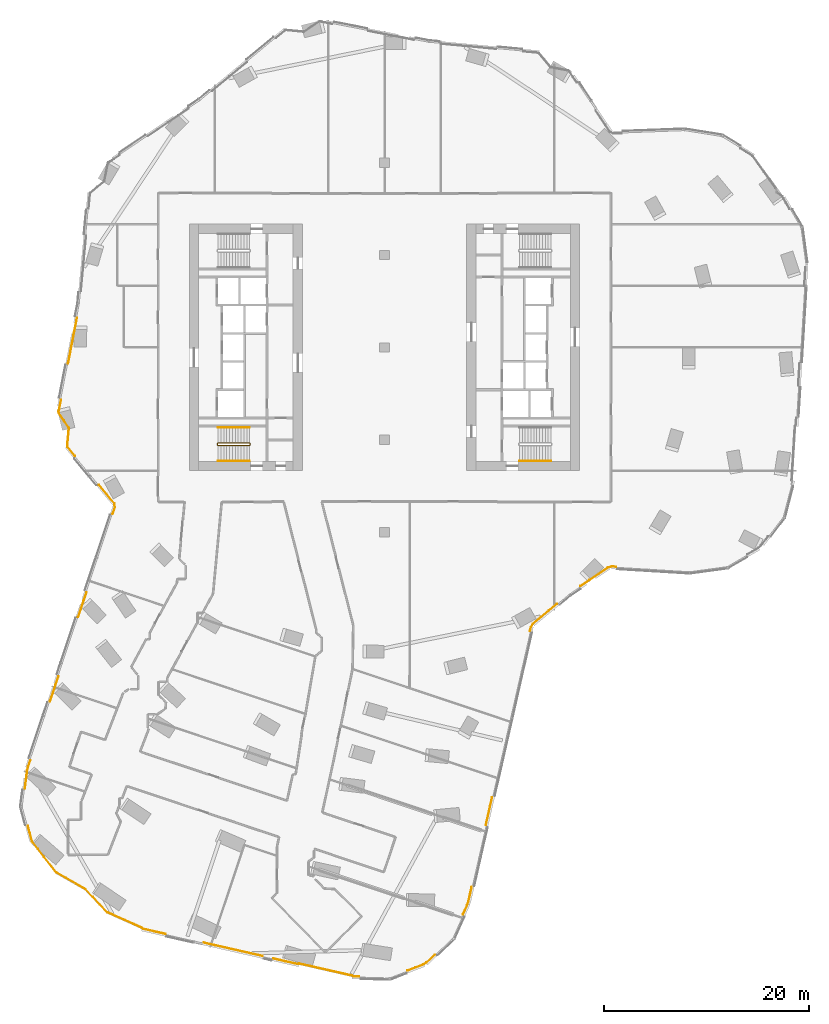
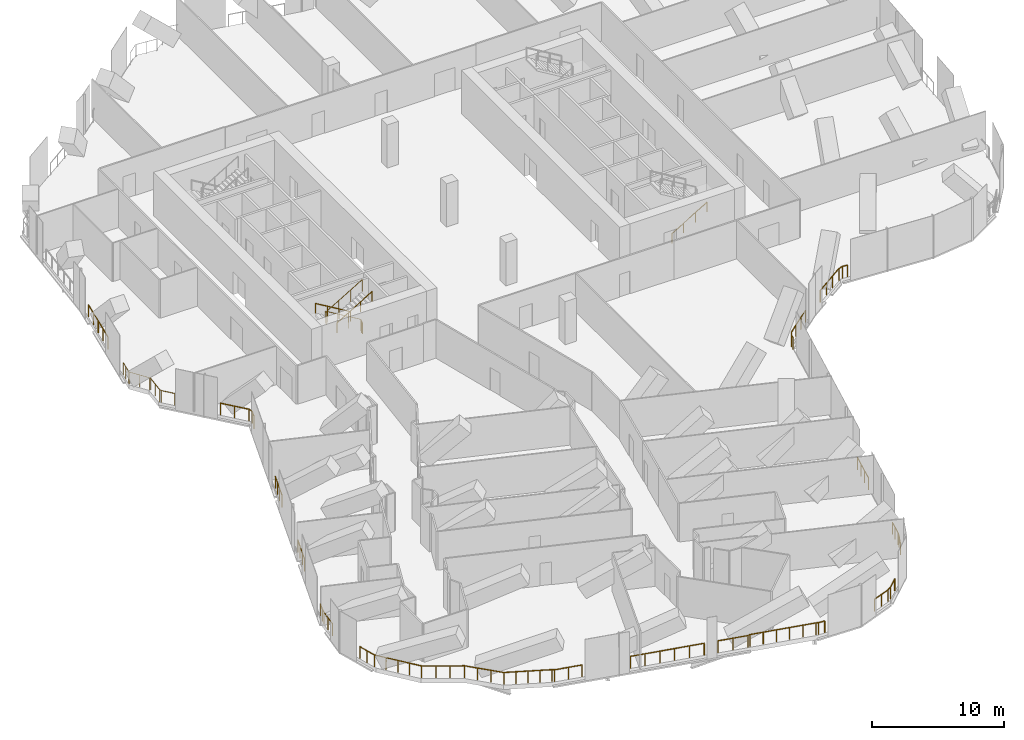
# One storey, part 25 of 28: 20 railings.
"""IFC4 building model written with IfcOpenShell, lengths in metres."""

from ifc_helpers import new_model, si_unit, direction, frame, origin, origin_2d, place, context, subcontext, project, spatial, circle, extrude, material, type_object, element, save


model = new_model("IFC4")

# Units and contexts
model_context = context("Model", 3, precision=1e-05, world=origin(), true_north=direction((0.0, 1.0)))
body_context = subcontext(model_context, "Body", "Model", "MODEL_VIEW")
ifc_project = project(units=[si_unit("LENGTHUNIT", "METRE"), si_unit("AREAUNIT", "SQUARE_METRE"), si_unit("VOLUMEUNIT", "CUBIC_METRE"), si_unit("PLANEANGLEUNIT", "RADIAN"), si_unit("MASSUNIT", "GRAM", prefix="KILO")], contexts=[model_context])

# Site, building, storey
site_placement = place(None, origin())
site = spatial("IfcSite", under=ifc_project, at=site_placement, CompositionType="ELEMENT")
building_placement = place(site_placement, origin())
building = spatial("IfcBuilding", under=site, at=building_placement, Name="Orlundy Tower", CompositionType="ELEMENT")
storey_placement = place(building_placement, frame((0.0, 0.0, 163.10009765625)))
storey = spatial("IfcBuildingStorey", under=building, at=storey_placement, Name="L42", CompositionType="ELEMENT", Elevation=163.10009765625)

# Railings
ifc_material_1 = material(Name="Steel balustrade", Category="steel")
railing_type_1 = type_object("IfcRailingType", Name="Stair Guard 1100", PredefinedType="GUARDRAIL", material=ifc_material_1)
railing_1_placement = place(storey_placement, frame((-13.090087890625, -9.35009765625, 0.0)))
element("IfcRailing", 1, at=railing_1_placement, inside=storey, type_object=railing_type_1, Name="L42 ST-W2 stair guard 1", PredefinedType="GUARDRAIL", context=body_context, shape_type="SweptSolid", body=[
    extrude(circle(Radius=0.02392578125, at=origin_2d()), frame((0.0, 0.0, 1.076171875), z_axis=(0.0, -1.0, 0.0), x_axis=(1.0, 0.0, 0.0)), (0.0, 0.0, 1.0), 0.14990234375),
    extrude(circle(Radius=0.02392578125, at=origin_2d()), frame((0.0, -0.14990234375, 1.076171875), z_axis=(-0.187996396626, 0.754750239394, 0.628497757347), x_axis=(-0.970351222016, -0.241699205484, 0.0)), (0.0, 0.0, 1.0), 0.264892578125),
    extrude(circle(Radius=0.02392578125, at=origin_2d()), frame((-0.0498046875, 0.050048828125, 1.24267578125), z_axis=(-0.85927862911, 0.0, 0.511507807912), x_axis=(0.0, -1.0, 0.0)), (0.0, 0.0, 1.0), 3.58447265625),
    extrude(circle(Radius=0.02392578125, at=origin_2d()), frame((-3.1298828125, 0.050048828125, 3.076171875), z_axis=(-0.707106781187, -0.707106781187, 0.0), x_axis=(0.707106781187, -0.707106781187, 0.0)), (0.0, 0.0, 1.0), 0.07080078125),
    extrude(circle(Radius=0.02392578125, at=origin_2d()), frame((-3.179931640625, 0.0, 3.076171875), z_axis=(0.0, -1.0, 0.0), x_axis=(1.0, 0.0, 0.0)), (0.0, 0.0, 1.0), 0.14990234375),
    extrude(circle(Radius=0.02392578125, at=origin_2d()), frame((-3.179931640625, -0.14990234375, 3.076171875), z_axis=(0.27662974545, -0.27662974545, 0.920299933644), x_axis=(0.707106781187, 0.707106781187, 0.0)), (0.0, 0.0, 1.0), 0.180908203125),
    extrude(circle(Radius=0.02392578125, at=origin_2d()), frame((-3.1298828125, -0.199951171875, 3.24267578125), z_axis=(0.85927862911, 0.0, 0.511507807912), x_axis=(0.0, 1.0, 0.0)), (0.0, 0.0, 1.0), 3.58447265625),
    extrude(circle(Radius=0.02099609375, at=origin_2d()), origin(), (0.0, 0.0, 1.0), 1.052001953125),
    extrude(circle(Radius=0.02099609375, at=origin_2d()), frame((0.0, -0.14990234375, 0.0)), (0.0, 0.0, 1.0), 1.052001953125),
    extrude(circle(Radius=0.02099609375, at=origin_2d()), frame((-0.0498046875, 0.050048828125, 0.16650390625)), (0.0, 0.0, 1.0), 1.052001953125),
    extrude(circle(Radius=0.02099609375, at=origin_2d()), frame((-1.076416015625, 0.050048828125, 0.777587890625)), (0.0, 0.0, 1.0), 1.052001953125),
    extrude(circle(Radius=0.02099609375, at=origin_2d()), frame((-2.103271484375, 0.050048828125, 1.388916015625)), (0.0, 0.0, 1.0), 1.052001953125),
    extrude(circle(Radius=0.02099609375, at=origin_2d()), frame((-3.1298828125, 0.050048828125, 2.0)), (0.0, 0.0, 1.0), 1.052001953125),
    extrude(circle(Radius=0.02099609375, at=origin_2d()), frame((-3.179931640625, 0.0, 2.0)), (0.0, 0.0, 1.0), 1.052001953125),
    extrude(circle(Radius=0.02099609375, at=origin_2d()), frame((-3.179931640625, -0.14990234375, 2.0)), (0.0, 0.0, 1.0), 1.052001953125),
    extrude(circle(Radius=0.02099609375, at=origin_2d()), frame((-3.1298828125, -0.199951171875, 2.16650390625)), (0.0, 0.0, 1.0), 1.052001953125),
    extrude(circle(Radius=0.02099609375, at=origin_2d()), frame((-2.103271484375, -0.199951171875, 2.777587890625)), (0.0, 0.0, 1.0), 1.052001953125),
    extrude(circle(Radius=0.02099609375, at=origin_2d()), frame((-1.076416015625, -0.199951171875, 3.388916015625)), (0.0, 0.0, 1.0), 1.052001953125),
    extrude(circle(Radius=0.02099609375, at=origin_2d()), frame((-0.0498046875, -0.199951171875, 4.0)), (0.0, 0.0, 1.0), 1.052001953125),
])
ifc_material_2 = material(Name="Steel handrail", Category="steel")
railing_type_2 = type_object("IfcRailingType", Name="Stair Handrail 900", PredefinedType="HANDRAIL", material=ifc_material_2)
railing_2_placement = place(storey_placement, frame((-13.139892578125, -7.800048828125, 0.16650390625)))
element("IfcRailing", 2, at=railing_2_placement, inside=storey, type_object=railing_type_2, Name="L42 ST-W2 stair handrail 1", PredefinedType="HANDRAIL", context=body_context, shape_type="SweptSolid", body=[
    extrude(circle(Radius=0.02392578125, at=origin_2d()), frame((0.0, 0.0, 0.8759765625), z_axis=(-0.85927862911, 0.0, 0.511507807912), x_axis=(0.0, -1.0, 0.0)), (0.0, 0.0, 1.0), 3.58447265625),
    extrude(circle(Radius=0.02099609375, at=origin_2d()), origin(), (0.0, 0.0, 1.0), 0.851806640625),
    extrude(circle(Radius=0.02099609375, at=origin_2d()), frame((-1.026611328125, 0.0, 0.611083984375)), (0.0, 0.0, 1.0), 0.851806640625),
    extrude(circle(Radius=0.02099609375, at=origin_2d()), frame((-2.053466796875, 0.0, 1.222412109375)), (0.0, 0.0, 1.0), 0.851806640625),
    extrude(circle(Radius=0.02099609375, at=origin_2d()), frame((-3.080078125, 0.0, 1.83349609375)), (0.0, 0.0, 1.0), 0.851806640625),
])
for number, where, name in (
    (3, (-16.219970703125, -11.050048828125, 2.16650390625), "L42 ST-W2 stair handrail 2"),
    (4, (13.139892578125, -11.050048828125, 0.16650390625), "L42 ST-E1 stair handrail 1"),
):
    element("IfcRailing", number, at=place(storey_placement, frame(where)), inside=storey, type_object=railing_type_2, Name=name, PredefinedType="HANDRAIL", context=body_context, shape_type="SweptSolid", body=[
        extrude(circle(Radius=0.02392578125, at=origin_2d()), frame((0.0, 0.0, 0.8759765625), z_axis=(0.85927862911, 0.0, 0.511507807912), x_axis=(0.0, 1.0, 0.0)), (0.0, 0.0, 1.0), 3.58447265625),
        extrude(circle(Radius=0.02099609375, at=origin_2d()), origin(), (0.0, 0.0, 1.0), 0.851806640625),
        extrude(circle(Radius=0.02099609375, at=origin_2d()), frame((1.026611328125, 0.0, 0.611083984375)), (0.0, 0.0, 1.0), 0.851806640625),
        extrude(circle(Radius=0.02099609375, at=origin_2d()), frame((2.053466796875, 0.0, 1.222412109375)), (0.0, 0.0, 1.0), 0.851806640625),
        extrude(circle(Radius=0.02099609375, at=origin_2d()), frame((3.080078125, 0.0, 1.83349609375)), (0.0, 0.0, 1.0), 0.851806640625),
    ])
ifc_material_3 = material(Name="Stainless steel bronze finish", Category="steel")
railing_type_3 = type_object("IfcRailingType", Name="TG1 terrace guard", PredefinedType="GUARDRAIL", material=ifc_material_3)
railing_3_placement = place(storey_placement, frame((-2.472900390625, -61.301025390625, 0.0)))
element("IfcRailing", 5, at=railing_3_placement, inside=storey, type_object=railing_type_3, Name="Guard TG-L42-E00", PredefinedType="GUARDRAIL", context=body_context, shape_type="SweptSolid", body=[
    extrude(circle(Radius=0.02490234375, at=origin_2d()), frame((0.0, 0.0, 1.09521484375), z_axis=(-0.999625427911, 0.027367935149, 0.0), x_axis=(-0.027367935149, -0.999625427911, 0.0)), (0.0, 0.0, 1.0), 0.5263671875),
    extrude(circle(Radius=0.02490234375, at=origin_2d()), frame((-0.526123046875, 0.014404296875, 1.09521484375), z_axis=(-0.903840916326, 0.427868669073, 0.0), x_axis=(-0.427868669073, -0.903840916326, 0.0)), (0.0, 0.0, 1.0), 0.19287109375),
    extrude(circle(Radius=0.02490234375, at=origin_2d()), frame((-0.700439453125, 0.096923828125, 1.09521484375), z_axis=(-0.975024476507, 0.222097434053, 0.0), x_axis=(-0.222097434053, -0.975024476507, 0.0)), (0.0, 0.0, 1.0), 5.25),
    extrude(circle(Radius=0.02490234375, at=origin_2d()), frame((-5.8193359375, 1.262939453125, 1.09521484375), z_axis=(-0.987882088777, -0.155206245599, 0.0), x_axis=(0.155206245599, -0.987882088777, 0.0)), (0.0, 0.0, 1.0), 0.215576171875),
    extrude(circle(Radius=0.02490234375, at=origin_2d()), frame((-6.0322265625, 1.2294921875, 1.09521484375), z_axis=(-0.975030417327, 0.222071351794, 0.0), x_axis=(-0.222071351794, -0.975030417327, 0.0)), (0.0, 0.0, 1.0), 2.366943359375),
    extrude(circle(Radius=0.02001953125, at=origin_2d()), origin(), (0.0, 0.0, 1.0), 1.070068359375),
    extrude(circle(Radius=0.02001953125, at=origin_2d()), frame((-0.526123046875, 0.014404296875, 0.0)), (0.0, 0.0, 1.0), 1.070068359375),
    extrude(circle(Radius=0.02001953125, at=origin_2d()), frame((-0.700439453125, 0.096923828125, 0.0)), (0.0, 0.0, 1.0), 1.070068359375),
    extrude(circle(Radius=0.02001953125, at=origin_2d()), frame((-1.72412109375, 0.330078125, 0.0)), (0.0, 0.0, 1.0), 1.070068359375),
    extrude(circle(Radius=0.02001953125, at=origin_2d()), frame((-2.748046875, 0.563232421875, 0.0)), (0.0, 0.0, 1.0), 1.070068359375),
    extrude(circle(Radius=0.02001953125, at=origin_2d()), frame((-3.771728515625, 0.796630859375, 0.0)), (0.0, 0.0, 1.0), 1.070068359375),
    extrude(circle(Radius=0.02001953125, at=origin_2d()), frame((-4.795654296875, 1.02978515625, 0.0)), (0.0, 0.0, 1.0), 1.070068359375),
    extrude(circle(Radius=0.02001953125, at=origin_2d()), frame((-5.8193359375, 1.262939453125, 0.0)), (0.0, 0.0, 1.0), 1.070068359375),
    extrude(circle(Radius=0.02001953125, at=origin_2d()), frame((-6.0322265625, 1.2294921875, 0.0)), (0.0, 0.0, 1.0), 1.070068359375),
    extrude(circle(Radius=0.02001953125, at=origin_2d()), frame((-7.18603515625, 1.4921875, 0.0)), (0.0, 0.0, 1.0), 1.070068359375),
    extrude(circle(Radius=0.02001953125, at=origin_2d()), frame((-8.340087890625, 1.755126953125, 0.0)), (0.0, 0.0, 1.0), 1.070068359375),
])
railing_4_placement = place(storey_placement, frame((-26.9892578125, -55.044189453125, 0.0)))
element("IfcRailing", 6, at=railing_4_placement, inside=storey, type_object=railing_type_3, Name="Guard TG-L42-E03", PredefinedType="GUARDRAIL", context=body_context, shape_type="SweptSolid", body=[
    extrude(circle(Radius=0.02490234375, at=origin_2d()), frame((0.0, 0.0, 1.09521484375), z_axis=(-0.688175674315, 0.725544100162, 0.0), x_axis=(-0.725544100162, -0.688175674315, 0.0)), (0.0, 0.0, 1.0), 3.10986328125),
    extrude(circle(Radius=0.02490234375, at=origin_2d()), frame((-2.14013671875, 2.25634765625, 1.09521484375), z_axis=(-0.86819270863, 0.496227186561, 0.0), x_axis=(-0.496227186561, -0.86819270863, 0.0)), (0.0, 0.0, 1.0), 3.277099609375),
    extrude(circle(Radius=0.02001953125, at=origin_2d()), origin(), (0.0, 0.0, 1.0), 1.070068359375),
    extrude(circle(Radius=0.02001953125, at=origin_2d()), frame((-0.71337890625, 0.752197265625, 0.0)), (0.0, 0.0, 1.0), 1.070068359375),
    extrude(circle(Radius=0.02001953125, at=origin_2d()), frame((-1.4267578125, 1.504150390625, 0.0)), (0.0, 0.0, 1.0), 1.070068359375),
    extrude(circle(Radius=0.02001953125, at=origin_2d()), frame((-2.14013671875, 2.25634765625, 0.0)), (0.0, 0.0, 1.0), 1.070068359375),
    extrude(circle(Radius=0.02001953125, at=origin_2d()), frame((-3.088623046875, 2.79833984375, 0.0)), (0.0, 0.0, 1.0), 1.070068359375),
    extrude(circle(Radius=0.02001953125, at=origin_2d()), frame((-4.036865234375, 3.340576171875, 0.0)), (0.0, 0.0, 1.0), 1.070068359375),
    extrude(circle(Radius=0.02001953125, at=origin_2d()), frame((-4.9853515625, 3.882568359375, 0.0)), (0.0, 0.0, 1.0), 1.070068359375),
])
railing_5_placement = place(storey_placement, frame((-21.33642578125, -57.14892578125, 0.0)))
element("IfcRailing", 7, at=railing_5_placement, inside=storey, type_object=railing_type_3, Name="Guard TG-L42-E05", PredefinedType="GUARDRAIL", context=body_context, shape_type="SweptSolid", body=[
    extrude(circle(Radius=0.02490234375, at=origin_2d()), frame((0.0, 0.0, 1.09521484375), z_axis=(-0.975016667759, 0.222131712259, 0.0), x_axis=(-0.222131712259, -0.975016667759, 0.0)), (0.0, 0.0, 1.0), 2.1904296875),
    extrude(circle(Radius=0.02490234375, at=origin_2d()), frame((-2.1357421875, 0.486572265625, 1.09521484375), z_axis=(-0.80333267452, 0.595530531584, 0.0), x_axis=(-0.595530531584, -0.80333267452, 0.0)), (0.0, 0.0, 1.0), 0.192626953125),
    extrude(circle(Radius=0.02490234375, at=origin_2d()), frame((-2.29052734375, 0.601318359375, 1.09521484375), z_axis=(-0.912896264228, 0.408191634847, 0.0), x_axis=(-0.408191634847, -0.912896264228, 0.0)), (0.0, 0.0, 1.0), 3.68310546875),
    extrude(circle(Radius=0.02001953125, at=origin_2d()), origin(), (0.0, 0.0, 1.0), 1.070068359375),
    extrude(circle(Radius=0.02001953125, at=origin_2d()), frame((-1.06787109375, 0.2431640625, 0.0)), (0.0, 0.0, 1.0), 1.070068359375),
    extrude(circle(Radius=0.02001953125, at=origin_2d()), frame((-2.1357421875, 0.486572265625, 0.0)), (0.0, 0.0, 1.0), 1.070068359375),
    extrude(circle(Radius=0.02001953125, at=origin_2d()), frame((-2.29052734375, 0.601318359375, 0.0)), (0.0, 0.0, 1.0), 1.070068359375),
    extrude(circle(Radius=0.02001953125, at=origin_2d()), frame((-3.131103515625, 0.97705078125, 0.0)), (0.0, 0.0, 1.0), 1.070068359375),
    extrude(circle(Radius=0.02001953125, at=origin_2d()), frame((-3.9716796875, 1.35302734375, 0.0)), (0.0, 0.0, 1.0), 1.070068359375),
    extrude(circle(Radius=0.02001953125, at=origin_2d()), frame((-4.812255859375, 1.72900390625, 0.0)), (0.0, 0.0, 1.0), 1.070068359375),
    extrude(circle(Radius=0.02001953125, at=origin_2d()), frame((-5.65283203125, 2.104736328125, 0.0)), (0.0, 0.0, 1.0), 1.070068359375),
])
railing_6_placement = place(storey_placement, frame((-30.15576171875, -10.569580078125, 0.0)))
element("IfcRailing", 8, at=railing_6_placement, inside=storey, type_object=railing_type_3, Name="Guard TG-L42-E06", PredefinedType="GUARDRAIL", context=body_context, shape_type="SweptSolid", body=[
    extrude(circle(Radius=0.02490234375, at=origin_2d()), frame((0.0, 0.0, 1.09521484375), z_axis=(-0.638262986491, 0.769818394218, 0.0), x_axis=(-0.769818394218, -0.638262986491, 0.0)), (0.0, 0.0, 1.0), 1.113525390625),
    extrude(circle(Radius=0.02490234375, at=origin_2d()), frame((-0.710693359375, 0.857177734375, 1.09521484375), z_axis=(-0.316227766017, 0.948683298051, 0.0), x_axis=(-0.948683298051, -0.316227766017, 0.0)), (0.0, 0.0, 1.0), 0.12353515625),
    extrude(circle(Radius=0.02490234375, at=origin_2d()), frame((-0.749755859375, 0.974365234375, 1.09521484375), z_axis=(0.092679514677, 0.995695991535, 0.0), x_axis=(-0.995695991535, 0.092679514677, 0.0)), (0.0, 0.0, 1.0), 1.704345703125),
    extrude(circle(Radius=0.02490234375, at=origin_2d()), frame((-0.591796875, 2.67138671875, 1.09521484375), z_axis=(-0.247503822991, 0.96888691683, 0.0), x_axis=(-0.96888691683, -0.247503822991, 0.0)), (0.0, 0.0, 1.0), 0.080810546875),
    extrude(circle(Radius=0.02490234375, at=origin_2d()), frame((-0.61181640625, 2.749755859375, 1.09521484375), z_axis=(-0.559155408665, 0.829062861887, 0.0), x_axis=(-0.829062861887, -0.559155408665, 0.0)), (0.0, 0.0, 1.0), 1.7041015625),
    extrude(circle(Radius=0.02490234375, at=origin_2d()), frame((-1.564697265625, 4.16259765625, 1.09521484375), z_axis=(-0.179754511092, 0.983711500259, 0.0), x_axis=(-0.983711500259, -0.179754511092, 0.0)), (0.0, 0.0, 1.0), 0.12353515625),
    extrude(circle(Radius=0.02490234375, at=origin_2d()), frame((-1.5869140625, 4.2841796875, 1.09521484375), z_axis=(0.190912871903, 0.981606986192, 0.0), x_axis=(-0.981606986192, 0.190912871903, 0.0)), (0.0, 0.0, 1.0), 1.209716796875),
    extrude(circle(Radius=0.02001953125, at=origin_2d()), origin(), (0.0, 0.0, 1.0), 1.070068359375),
    extrude(circle(Radius=0.02001953125, at=origin_2d()), frame((-0.710693359375, 0.857177734375, 0.0)), (0.0, 0.0, 1.0), 1.070068359375),
    extrude(circle(Radius=0.02001953125, at=origin_2d()), frame((-0.749755859375, 0.974365234375, 0.0)), (0.0, 0.0, 1.0), 1.070068359375),
    extrude(circle(Radius=0.02001953125, at=origin_2d()), frame((-0.6708984375, 1.82275390625, 0.0)), (0.0, 0.0, 1.0), 1.070068359375),
    extrude(circle(Radius=0.02001953125, at=origin_2d()), frame((-0.591796875, 2.67138671875, 0.0)), (0.0, 0.0, 1.0), 1.070068359375),
    extrude(circle(Radius=0.02001953125, at=origin_2d()), frame((-0.61181640625, 2.749755859375, 0.0)), (0.0, 0.0, 1.0), 1.070068359375),
    extrude(circle(Radius=0.02001953125, at=origin_2d()), frame((-1.08837890625, 3.4560546875, 0.0)), (0.0, 0.0, 1.0), 1.070068359375),
    extrude(circle(Radius=0.02001953125, at=origin_2d()), frame((-1.564697265625, 4.16259765625, 0.0)), (0.0, 0.0, 1.0), 1.070068359375),
    extrude(circle(Radius=0.02001953125, at=origin_2d()), frame((-1.5869140625, 4.2841796875, 0.0)), (0.0, 0.0, 1.0), 1.070068359375),
    extrude(circle(Radius=0.02001953125, at=origin_2d()), frame((-1.471435546875, 4.8779296875, 0.0)), (0.0, 0.0, 1.0), 1.070068359375),
    extrude(circle(Radius=0.02001953125, at=origin_2d()), frame((-1.35595703125, 5.4716796875, 0.0)), (0.0, 0.0, 1.0), 1.070068359375),
])
railing_7_placement = place(storey_placement, frame((-11.882568359375, -59.30224609375, 0.0)))
element("IfcRailing", 9, at=railing_7_placement, inside=storey, type_object=railing_type_3, Name="Guard TG-L42-E08", PredefinedType="GUARDRAIL", context=body_context, shape_type="SweptSolid", body=[
    extrude(circle(Radius=0.02490234375, at=origin_2d()), frame((0.0, 0.0, 1.09521484375), z_axis=(-0.975029120637, 0.222077044984, 0.0), x_axis=(-0.222077044984, -0.975029120637, 0.0)), (0.0, 0.0, 1.0), 5.878173828125),
    extrude(circle(Radius=0.02001953125, at=origin_2d()), origin(), (0.0, 0.0, 1.0), 1.070068359375),
    extrude(circle(Radius=0.02001953125, at=origin_2d()), frame((-1.146240234375, 0.260986328125, 0.0)), (0.0, 0.0, 1.0), 1.070068359375),
    extrude(circle(Radius=0.02001953125, at=origin_2d()), frame((-2.29248046875, 0.522216796875, 0.0)), (0.0, 0.0, 1.0), 1.070068359375),
    extrude(circle(Radius=0.02001953125, at=origin_2d()), frame((-3.43896484375, 0.783203125, 0.0)), (0.0, 0.0, 1.0), 1.070068359375),
    extrude(circle(Radius=0.02001953125, at=origin_2d()), frame((-4.585205078125, 1.04443359375, 0.0)), (0.0, 0.0, 1.0), 1.070068359375),
    extrude(circle(Radius=0.02001953125, at=origin_2d()), frame((-5.7314453125, 1.305419921875, 0.0)), (0.0, 0.0, 1.0), 1.070068359375),
])
railing_8_placement = place(storey_placement, frame((-31.974609375, -51.16162109375, 0.0)))
element("IfcRailing", 10, at=railing_8_placement, inside=storey, type_object=railing_type_3, Name="Guard TG-L42-E09", PredefinedType="GUARDRAIL", context=body_context, shape_type="SweptSolid", body=[
    extrude(circle(Radius=0.02490234375, at=origin_2d()), frame((0.0, 0.0, 1.09521484375), z_axis=(-0.613668604489, 0.789563704754, 0.0), x_axis=(-0.789563704754, -0.613668604489, 0.0)), (0.0, 0.0, 1.0), 3.85302734375),
    extrude(circle(Radius=0.02490234375, at=origin_2d()), frame((-2.364501953125, 3.042236328125, 1.09521484375), z_axis=(-0.262771843156, 0.964857999109, 0.0), x_axis=(-0.964857999109, -0.262771843156, 0.0)), (0.0, 0.0, 1.0), 1.554443359375),
    extrude(circle(Radius=0.02001953125, at=origin_2d()), origin(), (0.0, 0.0, 1.0), 1.070068359375),
    extrude(circle(Radius=0.02001953125, at=origin_2d()), frame((-0.591064453125, 0.760498046875, 0.0)), (0.0, 0.0, 1.0), 1.070068359375),
    extrude(circle(Radius=0.02001953125, at=origin_2d()), frame((-1.18212890625, 1.52099609375, 0.0)), (0.0, 0.0, 1.0), 1.070068359375),
    extrude(circle(Radius=0.02001953125, at=origin_2d()), frame((-1.7734375, 2.28173828125, 0.0)), (0.0, 0.0, 1.0), 1.070068359375),
    extrude(circle(Radius=0.02001953125, at=origin_2d()), frame((-2.364501953125, 3.042236328125, 0.0)), (0.0, 0.0, 1.0), 1.070068359375),
    extrude(circle(Radius=0.02001953125, at=origin_2d()), frame((-2.56884765625, 3.7919921875, 0.0)), (0.0, 0.0, 1.0), 1.070068359375),
    extrude(circle(Radius=0.02001953125, at=origin_2d()), frame((-2.77294921875, 4.5419921875, 0.0)), (0.0, 0.0, 1.0), 1.070068359375),
])
railing_9_placement = place(storey_placement, frame((-30.82470703125, -1.563232421875, 0.0)))
element("IfcRailing", 11, at=railing_9_placement, inside=storey, type_object=railing_type_3, Name="Guard TG-L42-E014", PredefinedType="GUARDRAIL", context=body_context, shape_type="SweptSolid", body=[
    extrude(circle(Radius=0.02490234375, at=origin_2d()), frame((0.0, 0.0, 1.09521484375), z_axis=(0.190786966879, 0.981631465097, 0.0), x_axis=(-0.981631465097, 0.190786966879, 0.0)), (0.0, 0.0, 1.0), 4.50439453125),
    extrude(circle(Radius=0.02001953125, at=origin_2d()), origin(), (0.0, 0.0, 1.0), 1.070068359375),
    extrude(circle(Radius=0.02001953125, at=origin_2d()), frame((0.21484375, 1.10546875, 0.0)), (0.0, 0.0, 1.0), 1.070068359375),
    extrude(circle(Radius=0.02001953125, at=origin_2d()), frame((0.4296875, 2.2109375, 0.0)), (0.0, 0.0, 1.0), 1.070068359375),
    extrude(circle(Radius=0.02001953125, at=origin_2d()), frame((0.64453125, 3.316162109375, 0.0)), (0.0, 0.0, 1.0), 1.070068359375),
    extrude(circle(Radius=0.02001953125, at=origin_2d()), frame((0.859375, 4.421630859375, 0.0)), (0.0, 0.0, 1.0), 1.070068359375),
])
railing_10_placement = place(storey_placement, frame((22.560302734375, -21.377197265625, 0.0)))
element("IfcRailing", 12, at=railing_10_placement, inside=storey, type_object=railing_type_3, Name="Guard TG-L42-E017", PredefinedType="GUARDRAIL", context=body_context, shape_type="SweptSolid", body=[
    extrude(circle(Radius=0.02490234375, at=origin_2d()), frame((0.0, 0.0, 1.09521484375), z_axis=(-0.998126550782, 0.061183238089, 0.0), x_axis=(-0.061183238089, -0.998126550782, 0.0)), (0.0, 0.0, 1.0), 0.406982421875),
    extrude(circle(Radius=0.02490234375, at=origin_2d()), frame((-0.40625, 0.02490234375, 1.09521484375), z_axis=(-0.964735952077, -0.263219571405, 0.0), x_axis=(0.263219571405, -0.964735952077, 0.0)), (0.0, 0.0, 1.0), 0.404296875),
    extrude(circle(Radius=0.02490234375, at=origin_2d()), frame((-0.79638671875, -0.08154296875, 1.09521484375), z_axis=(-0.829061494236, -0.559157436484, 0.0), x_axis=(0.559157436484, -0.829061494236, 0.0)), (0.0, 0.0, 1.0), 3.217529296875),
    extrude(circle(Radius=0.02001953125, at=origin_2d()), origin(), (0.0, 0.0, 1.0), 1.070068359375),
    extrude(circle(Radius=0.02001953125, at=origin_2d()), frame((-0.40625, 0.02490234375, 0.0)), (0.0, 0.0, 1.0), 1.070068359375),
    extrude(circle(Radius=0.02001953125, at=origin_2d()), frame((-0.79638671875, -0.08154296875, 0.0)), (0.0, 0.0, 1.0), 1.070068359375),
    extrude(circle(Radius=0.02001953125, at=origin_2d()), frame((-1.685546875, -0.68115234375, 0.0)), (0.0, 0.0, 1.0), 1.070068359375),
    extrude(circle(Radius=0.02001953125, at=origin_2d()), frame((-2.57470703125, -1.281005859375, 0.0)), (0.0, 0.0, 1.0), 1.070068359375),
    extrude(circle(Radius=0.02001953125, at=origin_2d()), frame((-3.4638671875, -1.880615234375, 0.0)), (0.0, 0.0, 1.0), 1.070068359375),
])
railing_11_placement = place(storey_placement, frame((16.806884765625, -24.983642578125, 0.0)))
element("IfcRailing", 13, at=railing_11_placement, inside=storey, type_object=railing_type_3, Name="Guard TG-L42-E018", PredefinedType="GUARDRAIL", context=body_context, shape_type="SweptSolid", body=[
    extrude(circle(Radius=0.02490234375, at=origin_2d()), frame((0.0, 0.0, 1.09521484375), z_axis=(-0.769776291195, -0.638313764159, 0.0), x_axis=(0.638313764159, -0.769776291195, 0.0)), (0.0, 0.0, 1.0), 3.03271484375),
    extrude(circle(Radius=0.02490234375, at=origin_2d()), frame((-2.33447265625, -1.935791015625, 1.09521484375), z_axis=(-0.523693418148, -0.851906804638, 0.0), x_axis=(0.851906804638, -0.523693418148, 0.0)), (0.0, 0.0, 1.0), 0.404541015625),
    extrude(circle(Radius=0.02490234375, at=origin_2d()), frame((-2.54638671875, -2.280517578125, 1.09521484375), z_axis=(-0.221854264083, -0.975079835454, 0.0), x_axis=(0.975079835454, -0.221854264083, 0.0)), (0.0, 0.0, 1.0), 0.362060546875),
    extrude(circle(Radius=0.02001953125, at=origin_2d()), origin(), (0.0, 0.0, 1.0), 1.070068359375),
    extrude(circle(Radius=0.02001953125, at=origin_2d()), frame((-0.778076171875, -0.645263671875, 0.0)), (0.0, 0.0, 1.0), 1.070068359375),
    extrude(circle(Radius=0.02001953125, at=origin_2d()), frame((-1.556396484375, -1.29052734375, 0.0)), (0.0, 0.0, 1.0), 1.070068359375),
    extrude(circle(Radius=0.02001953125, at=origin_2d()), frame((-2.33447265625, -1.935791015625, 0.0)), (0.0, 0.0, 1.0), 1.070068359375),
    extrude(circle(Radius=0.02001953125, at=origin_2d()), frame((-2.54638671875, -2.280517578125, 0.0)), (0.0, 0.0, 1.0), 1.070068359375),
    extrude(circle(Radius=0.02001953125, at=origin_2d()), frame((-2.626708984375, -2.633544921875, 0.0)), (0.0, 0.0, 1.0), 1.070068359375),
])
railing_12_placement = place(storey_placement, frame((-26.479248046875, -16.23291015625, 0.0)))
element("IfcRailing", 14, at=railing_12_placement, inside=storey, type_object=railing_type_3, Name="Guard TG-L42-E020", PredefinedType="GUARDRAIL", context=body_context, shape_type="SweptSolid", body=[
    extrude(circle(Radius=0.02490234375, at=origin_2d()), frame((0.0, 0.0, 1.09521484375), z_axis=(0.317271230023, 0.948334838862, 0.0), x_axis=(-0.948334838862, 0.317271230023, 0.0)), (0.0, 0.0, 1.0), 0.701904296875),
    extrude(circle(Radius=0.02490234375, at=origin_2d()), frame((0.22265625, 0.66552734375, 1.09521484375), z_axis=(-0.18352950567, 0.983014201601, 0.0), x_axis=(-0.983014201601, -0.18352950567, 0.0)), (0.0, 0.0, 1.0), 0.388427734375),
    extrude(circle(Radius=0.02490234375, at=origin_2d()), frame((0.1513671875, 1.04736328125, 1.09521484375), z_axis=(-0.638380260131, 0.769721146569, 0.0), x_axis=(-0.769721146569, -0.638380260131, 0.0)), (0.0, 0.0, 1.0), 2.304931640625),
    extrude(circle(Radius=0.02001953125, at=origin_2d()), origin(), (0.0, 0.0, 1.0), 1.070068359375),
    extrude(circle(Radius=0.02001953125, at=origin_2d()), frame((0.22265625, 0.66552734375, 0.0)), (0.0, 0.0, 1.0), 1.070068359375),
    extrude(circle(Radius=0.02001953125, at=origin_2d()), frame((0.1513671875, 1.04736328125, 0.0)), (0.0, 0.0, 1.0), 1.070068359375),
    extrude(circle(Radius=0.02001953125, at=origin_2d()), frame((-0.58447265625, 1.9345703125, 0.0)), (0.0, 0.0, 1.0), 1.070068359375),
    extrude(circle(Radius=0.02001953125, at=origin_2d()), frame((-1.320068359375, 2.821533203125, 0.0)), (0.0, 0.0, 1.0), 1.070068359375),
])
railing_13_placement = place(storey_placement, frame((4.899658203125, -59.162353515625, 0.0)))
element("IfcRailing", 15, at=railing_13_placement, inside=storey, type_object=railing_type_3, Name="Guard TG-L42-E021", PredefinedType="GUARDRAIL", context=body_context, shape_type="SweptSolid", body=[
    extrude(circle(Radius=0.02490234375, at=origin_2d()), frame((0.0, 0.0, 1.09521484375), z_axis=(-0.726312797718, -0.687364328338, 0.0), x_axis=(0.687364328338, -0.726312797718, 0.0)), (0.0, 0.0, 1.0), 1.1220703125),
    extrude(circle(Radius=0.02490234375, at=origin_2d()), frame((-0.81494140625, -0.771240234375, 1.09521484375), z_axis=(-0.846611513547, -0.532211372605, 0.0), x_axis=(0.532211372605, -0.846611513547, 0.0)), (0.0, 0.0, 1.0), 0.376708984375),
    extrude(circle(Radius=0.02490234375, at=origin_2d()), frame((-1.1337890625, -0.9716796875, 1.09521484375), z_axis=(-0.934113036949, -0.356977358109, 0.0), x_axis=(0.356977358109, -0.934113036949, 0.0)), (0.0, 0.0, 1.0), 1.6435546875),
    extrude(circle(Radius=0.02001953125, at=origin_2d()), origin(), (0.0, 0.0, 1.0), 1.070068359375),
    extrude(circle(Radius=0.02001953125, at=origin_2d()), frame((-0.81494140625, -0.771240234375, 0.0)), (0.0, 0.0, 1.0), 1.070068359375),
    extrude(circle(Radius=0.02001953125, at=origin_2d()), frame((-1.1337890625, -0.9716796875, 0.0)), (0.0, 0.0, 1.0), 1.070068359375),
    extrude(circle(Radius=0.02001953125, at=origin_2d()), frame((-1.9013671875, -1.26513671875, 0.0)), (0.0, 0.0, 1.0), 1.070068359375),
    extrude(circle(Radius=0.02001953125, at=origin_2d()), frame((-2.6689453125, -1.558349609375, 0.0)), (0.0, 0.0, 1.0), 1.070068359375),
])
railing_14_placement = place(storey_placement, frame((8.494873046875, -52.574951171875, 0.0)))
element("IfcRailing", 16, at=railing_14_placement, inside=storey, type_object=railing_type_3, Name="Guard TG-L42-E022", PredefinedType="GUARDRAIL", context=body_context, shape_type="SweptSolid", body=[
    extrude(circle(Radius=0.02490234375, at=origin_2d()), frame((0.0, 0.0, 1.09521484375), z_axis=(-0.2220802787, -0.975028384106, 0.0), x_axis=(0.975028384106, -0.2220802787, 0.0)), (0.0, 0.0, 1.0), 1.4248046875),
    extrude(circle(Radius=0.02490234375, at=origin_2d()), frame((-0.31640625, -1.38916015625, 1.09521484375), z_axis=(-0.316603160023, -0.94855808418, 0.0), x_axis=(0.94855808418, -0.316603160023, 0.0)), (0.0, 0.0, 1.0), 0.39013671875),
    extrude(circle(Radius=0.02490234375, at=origin_2d()), frame((-0.43994140625, -1.75927734375, 1.09521484375), z_axis=(-0.408152069871, -0.912913954248, 0.0), x_axis=(0.912913954248, -0.408152069871, 0.0)), (0.0, 0.0, 1.0), 1.000732421875),
    extrude(circle(Radius=0.02001953125, at=origin_2d()), origin(), (0.0, 0.0, 1.0), 1.070068359375),
    extrude(circle(Radius=0.02001953125, at=origin_2d()), frame((-0.158203125, -0.694580078125, 0.0)), (0.0, 0.0, 1.0), 1.070068359375),
    extrude(circle(Radius=0.02001953125, at=origin_2d()), frame((-0.31640625, -1.38916015625, 0.0)), (0.0, 0.0, 1.0), 1.070068359375),
    extrude(circle(Radius=0.02001953125, at=origin_2d()), frame((-0.43994140625, -1.75927734375, 0.0)), (0.0, 0.0, 1.0), 1.070068359375),
    extrude(circle(Radius=0.02001953125, at=origin_2d()), frame((-0.848388671875, -2.6728515625, 0.0)), (0.0, 0.0, 1.0), 1.070068359375),
])
railing_15_placement = place(storey_placement, frame((-35.03076171875, -42.95263671875, 0.0)))
element("IfcRailing", 17, at=railing_15_placement, inside=storey, type_object=railing_type_3, Name="Guard TG-L42-E023", PredefinedType="GUARDRAIL", context=body_context, shape_type="SweptSolid", body=[
    extrude(circle(Radius=0.02490234375, at=origin_2d()), frame((0.0, 0.0, 1.09521484375), z_axis=(0.126058152673, 0.99202285364, 0.0), x_axis=(-0.99202285364, 0.126058152673, 0.0)), (0.0, 0.0, 1.0), 1.692626953125),
    extrude(circle(Radius=0.02490234375, at=origin_2d()), frame((0.21337890625, 1.67919921875, 1.09521484375), z_axis=(0.222162043497, 0.975009757094, 0.0), x_axis=(-0.975009757094, 0.222162043497, 0.0)), (0.0, 0.0, 1.0), 0.39013671875),
    extrude(circle(Radius=0.02490234375, at=origin_2d()), frame((0.300048828125, 2.0595703125, 1.09521484375), z_axis=(0.317455039574, 0.948273324442, 0.0), x_axis=(-0.948273324442, 0.317455039574, 0.0)), (0.0, 0.0, 1.0), 0.716064453125),
    extrude(circle(Radius=0.02001953125, at=origin_2d()), origin(), (0.0, 0.0, 1.0), 1.070068359375),
    extrude(circle(Radius=0.02001953125, at=origin_2d()), frame((0.106689453125, 0.839599609375, 0.0)), (0.0, 0.0, 1.0), 1.070068359375),
    extrude(circle(Radius=0.02001953125, at=origin_2d()), frame((0.21337890625, 1.67919921875, 0.0)), (0.0, 0.0, 1.0), 1.070068359375),
    extrude(circle(Radius=0.02001953125, at=origin_2d()), frame((0.300048828125, 2.0595703125, 0.0)), (0.0, 0.0, 1.0), 1.070068359375),
    extrude(circle(Radius=0.02001953125, at=origin_2d()), frame((0.52734375, 2.738525390625, 0.0)), (0.0, 0.0, 1.0), 1.070068359375),
])
railing_16_placement = place(storey_placement, frame((10.48583984375, -43.8349609375, 0.0)))
element("IfcRailing", 18, at=railing_16_placement, inside=storey, type_object=railing_type_3, Name="Guard TG-L42-E024", PredefinedType="GUARDRAIL", context=body_context, shape_type="SweptSolid", body=[
    extrude(circle(Radius=0.02490234375, at=origin_2d()), frame((0.0, 0.0, 1.09521484375), z_axis=(-0.222119552331, -0.975019437997, 0.0), x_axis=(0.975019437997, -0.222119552331, 0.0)), (0.0, 0.0, 1.0), 2.773193359375),
    extrude(circle(Radius=0.02001953125, at=origin_2d()), origin(), (0.0, 0.0, 1.0), 1.070068359375),
    extrude(circle(Radius=0.02001953125, at=origin_2d()), frame((-0.205322265625, -0.9013671875, 0.0)), (0.0, 0.0, 1.0), 1.070068359375),
    extrude(circle(Radius=0.02001953125, at=origin_2d()), frame((-0.41064453125, -1.802490234375, 0.0)), (0.0, 0.0, 1.0), 1.070068359375),
    extrude(circle(Radius=0.02001953125, at=origin_2d()), frame((-0.615966796875, -2.703857421875, 0.0)), (0.0, 0.0, 1.0), 1.070068359375),
])
railing_17_placement = place(storey_placement, frame((-32.58984375, -34.4951171875, 0.0)))
element("IfcRailing", 19, at=railing_17_placement, inside=storey, type_object=railing_type_3, Name="Guard TG-L42-E026", PredefinedType="GUARDRAIL", context=body_context, shape_type="SweptSolid", body=[
    extrude(circle(Radius=0.02490234375, at=origin_2d()), frame((0.0, 0.0, 1.09521484375), z_axis=(0.317360634064, 0.948304923506, 0.0), x_axis=(-0.948304923506, 0.317360634064, 0.0)), (0.0, 0.0, 1.0), 2.58544921875),
    extrude(circle(Radius=0.02001953125, at=origin_2d()), origin(), (0.0, 0.0, 1.0), 1.070068359375),
    extrude(circle(Radius=0.02001953125, at=origin_2d()), frame((0.2734375, 0.8173828125, 0.0)), (0.0, 0.0, 1.0), 1.070068359375),
    extrude(circle(Radius=0.02001953125, at=origin_2d()), frame((0.547119140625, 1.634521484375, 0.0)), (0.0, 0.0, 1.0), 1.070068359375),
    extrude(circle(Radius=0.02001953125, at=origin_2d()), frame((0.820556640625, 2.451904296875, 0.0)), (0.0, 0.0, 1.0), 1.070068359375),
])
railing_18_placement = place(storey_placement, frame((-29.840087890625, -26.277099609375, 0.0)))
element("IfcRailing", 20, at=railing_18_placement, inside=storey, type_object=railing_type_3, Name="Guard TG-L42-E027", PredefinedType="GUARDRAIL", context=body_context, shape_type="SweptSolid", body=[
    extrude(circle(Radius=0.02490234375, at=origin_2d()), frame((0.0, 0.0, 1.09521484375), z_axis=(0.317331144194, 0.948314792105, 0.0), x_axis=(-0.948314792105, 0.317331144194, 0.0)), (0.0, 0.0, 1.0), 2.52197265625),
    extrude(circle(Radius=0.02001953125, at=origin_2d()), origin(), (0.0, 0.0, 1.0), 1.070068359375),
    extrude(circle(Radius=0.02001953125, at=origin_2d()), frame((0.266845703125, 0.797119140625, 0.0)), (0.0, 0.0, 1.0), 1.070068359375),
    extrude(circle(Radius=0.02001953125, at=origin_2d()), frame((0.533447265625, 1.594482421875, 0.0)), (0.0, 0.0, 1.0), 1.070068359375),
    extrude(circle(Radius=0.02001953125, at=origin_2d()), frame((0.80029296875, 2.3916015625, 0.0)), (0.0, 0.0, 1.0), 1.070068359375),
])

save(model, "model.ifc")
